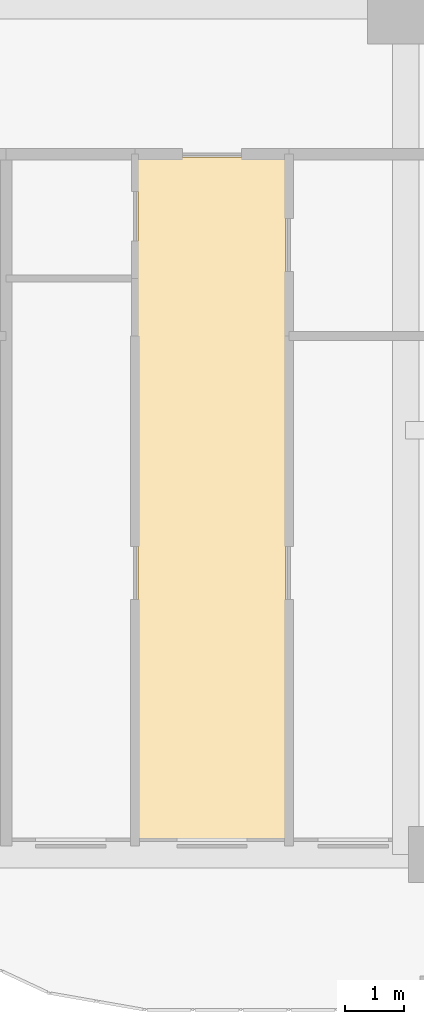
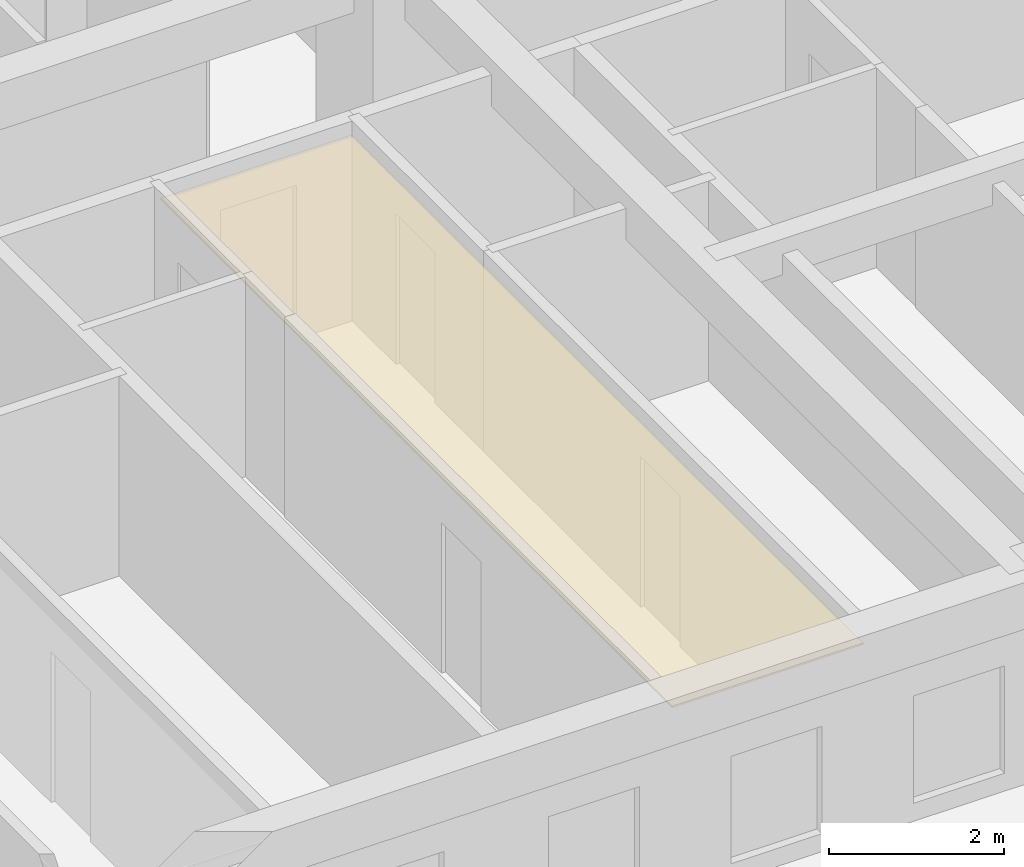
# One storey, part 11 of 15: 1 covering.
"""IFC4 building model written with IfcOpenShell, lengths in metres."""

from ifc_helpers import new_model, si_unit, direction, frame, origin, place, context, subcontext, project, spatial, polyline, outline, extrude, material, layer, layer_set, type_object, element, save


model = new_model("IFC4")

# Units and contexts
model_context = context("Model", 3, precision=1e-05, world=origin(), true_north=direction((0.0, 1.0)))
body_context = subcontext(model_context, "Body", "Model", "MODEL_VIEW")
ifc_project = project(units=[si_unit("LENGTHUNIT", "METRE"), si_unit("AREAUNIT", "SQUARE_METRE"), si_unit("VOLUMEUNIT", "CUBIC_METRE"), si_unit("PLANEANGLEUNIT", "RADIAN"), si_unit("MASSUNIT", "GRAM", prefix="KILO")], contexts=[model_context])

# Site, building, storey
site_placement = place(None, origin())
site = spatial("IfcSite", under=ifc_project, at=site_placement, CompositionType="ELEMENT")
building_placement = place(site_placement, origin())
building = spatial("IfcBuilding", under=site, at=building_placement, Name="Saelheon Loggia Tower", CompositionType="ELEMENT")
storey_placement = place(building_placement, frame((0.0, 0.0, 77.85009765625)))
storey = spatial("IfcBuildingStorey", under=building, at=storey_placement, Name="L24", CompositionType="ELEMENT", Elevation=77.85009765625)

# Covering
ifc_material = material(Name="Mineral-Fibre Acoustic Ceiling Board", Category="gypsum")
ifc_layer = layer(ifc_material, 0.02490234375)
ifc_layer_set = layer_set([ifc_layer], Name="Mineral-Fibre Acoustic Ceiling Board")
covering_type = type_object("IfcCoveringType", Name="Cov_Ceiling_Acoustic", PredefinedType="CEILING", material=ifc_layer_set)
covering_placement = place(storey_placement, frame((0.0, 0.0, 2.534912109375)))
element("IfcCovering", 1, at=covering_placement, inside=storey, type_object=covering_type, Name="L24 Acoustic Suspended Ceiling", PredefinedType="CEILING", context=body_context, shape_type="SweptSolid", body=[
    extrude(outline(polyline([(26.4130859375, 3.199951171875), (28.938720703125, 3.199951171875), (28.938720703125, 14.89990234375), (26.4130859375, 14.89990234375), (26.4130859375, 3.199951171875)])), origin(), (0.0, 0.0, 1.0), 0.02490234375),
])

save(model, "model.ifc")
